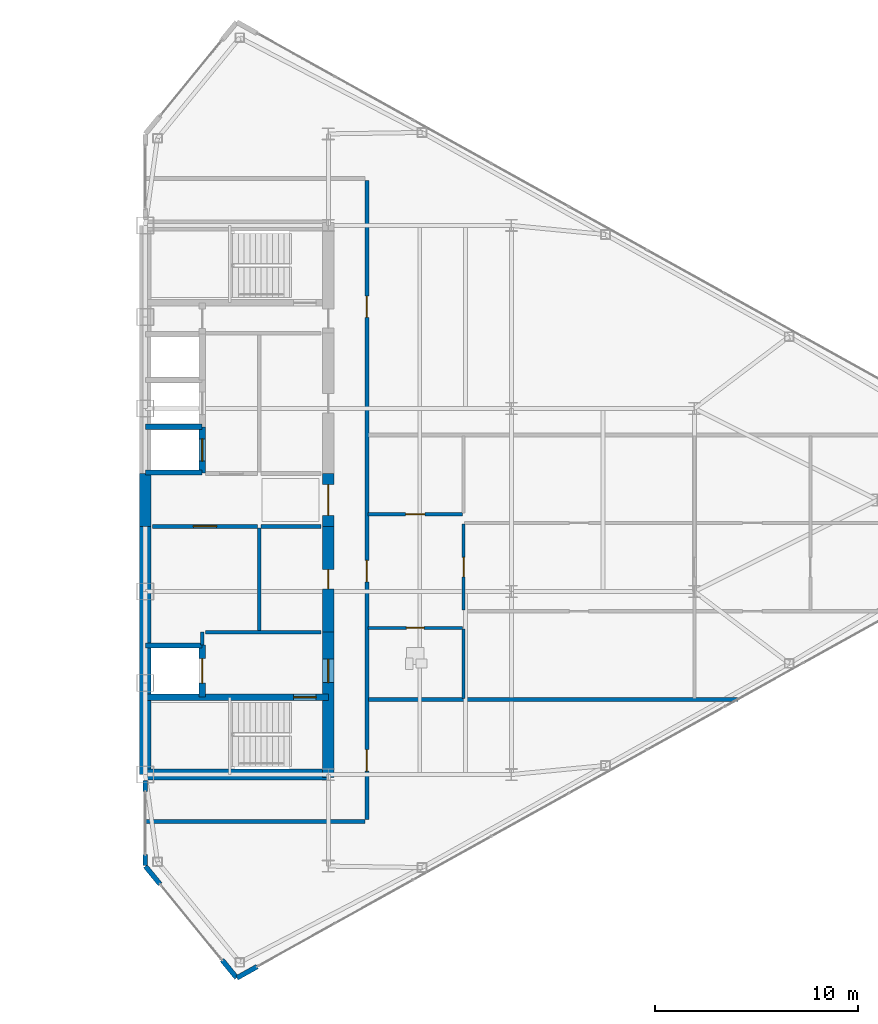
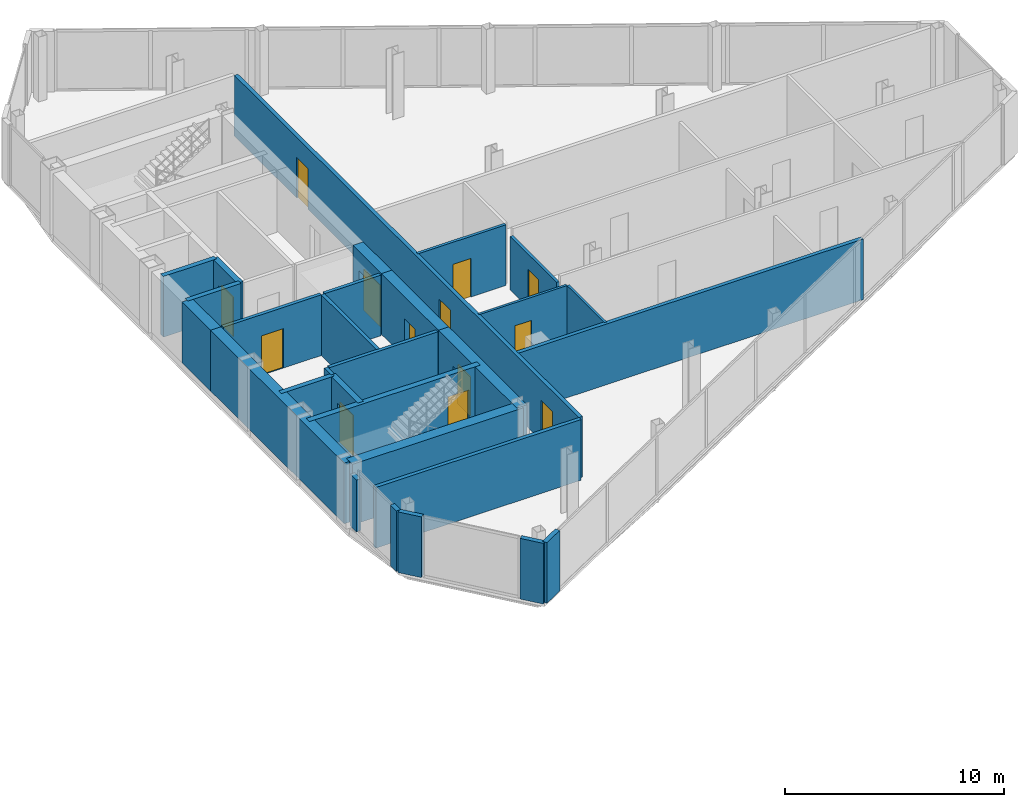
# One storey, part 21 of 25: 29 walls, 13 doors, 13 openings.
"""IFC4 building model written with IfcOpenShell, lengths in metres."""

from ifc_helpers import new_model, si_unit, direction, frame, frame_2d, origin, place, context, subcontext, project, spatial, rectangle, extrude, source, transform, mapped, material, layer, layer_set, type_object, type_shapes, element, fill, save


model = new_model("IFC4")

# Units and contexts
model_context = context("Model", 3, precision=1e-05, world=origin(), true_north=direction((0.0, 1.0)))
body_context = subcontext(model_context, "Body", "Model", "MODEL_VIEW")
ifc_project = project(units=[si_unit("LENGTHUNIT", "METRE"), si_unit("AREAUNIT", "SQUARE_METRE"), si_unit("VOLUMEUNIT", "CUBIC_METRE"), si_unit("PLANEANGLEUNIT", "RADIAN"), si_unit("MASSUNIT", "GRAM", prefix="KILO")], contexts=[model_context])

# Site, building, storey
site_placement = place(None, origin())
site = spatial("IfcSite", under=ifc_project, at=site_placement, CompositionType="ELEMENT")
building_placement = place(site_placement, origin())
building = spatial("IfcBuilding", under=site, at=building_placement, Name="Seokmaru Belvedere", CompositionType="ELEMENT")
storey_placement = place(building_placement, frame((0.0, 0.0, 185.10009765625)))
storey = spatial("IfcBuildingStorey", under=building, at=storey_placement, Name="L49", CompositionType="ELEMENT", Elevation=185.10009765625)

# Wall, opening, door
ifc_material_1 = material(Name="Fire-Rated Gypsum Shaftwall")
ifc_layer_1 = layer(ifc_material_1, 0.14990234375)
ifc_layer_set_1 = layer_set([ifc_layer_1], Name="Fire-Rated Gypsum Shaftwall")
wall_type_1 = type_object("IfcWallType", Name="Apartment Fire-Acoustic Room Partition 150", PredefinedType="PARTITIONING", material=ifc_layer_set_1)
wall_1_placement = place(storey_placement, frame((38.449951171875, -0.699951171875, 0.0), z_axis=(0.0, 0.0, 1.0), x_axis=(1.0, 0.0, 0.0)))
wall_1 = element("IfcWall", 1, at=wall_1_placement, inside=storey, type_object=wall_type_1, Name="L49 Interior Partition 010", PredefinedType="PARTITIONING", context=body_context, shape_type="SweptSolid", body=[
    extrude(rectangle(XDim=4.650146484375, YDim=0.14990234375, at=frame_2d((2.3251953125, 0.0))), origin(), (0.0, 0.0, 1.0), 3.3798828125),
])
opening_1_placement = place(wall_1_placement, frame((1.85009765625, 0.0, 0.0)))
opening_1 = element("IfcOpeningElement", 2, at=opening_1_placement, cuts=wall_1, Name="Opening D05", PredefinedType="OPENING", context=body_context, shape_type="SweptSolid", body=[
    extrude(rectangle(XDim=0.949951171875, YDim=2.14990234375, at=frame_2d((0.47509765625, 1.074951171875))), frame((0.0, 0.0849609375, 0.0), z_axis=(0.0, -1.0, 0.0), x_axis=(1.0, 0.0, 0.0)), (0.0, 0.0, 1.0), 0.169921875),
])
ifc_material_2 = material(Name="Engineered White Oak Timber", Category="wood")
door_type_1 = type_object("IfcDoorType", Name="Apartment Interior Fire-Rated Oak Door 950x2150", OperationType="NOTDEFINED", PredefinedType="DOOR", material=ifc_material_2)
shared_shape_1 = source(origin(), body_context, "Body", "SweptSolid", [
    extrude(rectangle(XDim=0.949951171875, YDim=2.14990234375, at=frame_2d((0.47509765625, 1.074951171875))), frame((0.0, 0.02490234375, 0.0), z_axis=(0.0, -1.0, 0.0), x_axis=(1.0, 0.0, 0.0)), (0.0, 0.0, 1.0), 0.050048828125),
])
type_shapes(door_type_1, [shared_shape_1])
door_1_placement = place(opening_1_placement, origin())
door_1 = element("IfcDoor", 3, at=door_1_placement, inside=storey, type_object=door_type_1, Name="L49 Interior Door 016", OperationType="SINGLE_SWING_RIGHT", OverallHeight=2.14990234375, OverallWidth=0.949951171875, PredefinedType="DOOR", context=body_context, shape_type="MappedRepresentation", body=[
    mapped(shared_shape_1, transform((0.0, 0.0, 0.0), scale=1.0)),
])
fill(opening_1, door_1)

wall_2_placement = place(storey_placement, frame((43.14990234375, -5.4169921875, 0.0), z_axis=(0.0, 0.0, 1.0), x_axis=(0.0, 1.0, 0.0)))
wall_2 = element("IfcWall", 4, at=wall_2_placement, inside=storey, type_object=wall_type_1, Name="L49 Interior Partition 024", PredefinedType="PARTITIONING", context=body_context, shape_type="SweptSolid", body=[
    extrude(rectangle(XDim=4.23388671875, YDim=0.14990234375, at=frame_2d((2.116943359375, 0.0))), origin(), (0.0, 0.0, 1.0), 2.989990234375),
])
opening_2_placement = place(wall_2_placement, frame((1.64208984375, 0.0, 0.0)))
opening_2 = element("IfcOpeningElement", 5, at=opening_2_placement, cuts=wall_2, Name="Opening D05", PredefinedType="OPENING", context=body_context, shape_type="SweptSolid", body=[
    extrude(rectangle(XDim=0.949951171875, YDim=2.14990234375, at=frame_2d((0.47509765625, 1.074951171875))), frame((0.0, 0.0849609375, 0.0), z_axis=(0.0, -1.0, 0.0), x_axis=(1.0, 0.0, 0.0)), (0.0, 0.0, 1.0), 0.169921875),
])
door_2_placement = place(opening_2_placement, origin())
door_2 = element("IfcDoor", 6, at=door_2_placement, inside=storey, type_object=door_type_1, Name="L49 Interior Door 017", OperationType="SINGLE_SWING_LEFT", OverallHeight=2.14990234375, OverallWidth=0.949951171875, PredefinedType="DOOR", context=body_context, shape_type="MappedRepresentation", body=[
    mapped(shared_shape_1, transform((0.0, 0.0, 0.0), scale=1.0)),
])
fill(opening_2, door_2)

# Walls
ifc_layer_2 = layer(ifc_material_1, 0.179931640625)
ifc_layer_set_2 = layer_set([ifc_layer_2], Name="Fire-Rated Gypsum Shaftwall")
wall_type_2 = type_object("IfcWallType", Name="Core Service Fire Partition 180", PredefinedType="PARTITIONING", material=ifc_layer_set_2)
wall_3_placement = place(storey_placement, frame((30.449951171875, -6.5, 0.0), z_axis=(0.0, 0.0, 1.0), x_axis=(1.0, 0.0, 0.0)))
element("IfcWall", 7, at=wall_3_placement, inside=storey, type_object=wall_type_2, Name="L49 East Firefighting Lobby Partition", PredefinedType="PARTITIONING", context=body_context, shape_type="SweptSolid", body=[
    extrude(rectangle(XDim=5.699951171875, YDim=0.179931640625, at=frame_2d((2.85009765625, 0.0))), origin(), (0.0, 0.0, 1.0), 3.3798828125),
])
wall_4_placement = place(storey_placement, frame((30.300048828125, -7.1201171875, 0.0), z_axis=(0.0, 0.0, 1.0), x_axis=(0.0, 1.0, 0.0)))
element("IfcWall", 8, at=wall_4_placement, inside=storey, type_object=wall_type_2, Name="L49 East Firefighting Lobby East Closure Wall", PredefinedType="PARTITIONING", context=body_context, shape_type="SweptSolid", body=[
    extrude(rectangle(XDim=0.6201171875, YDim=0.179931640625, at=frame_2d((0.31005859375, 0.0))), origin(), (0.0, 0.0, 1.0), 3.3798828125),
])
wall_5_placement = place(storey_placement, frame((33.10009765625, -6.419921875, 0.0), z_axis=(0.0, 0.0, 1.0), x_axis=(0.0, 1.0, 0.0)))
element("IfcWall", 9, at=wall_5_placement, inside=storey, type_object=wall_type_2, Name="L49 East South Core Service Back Wall", PredefinedType="PARTITIONING", context=body_context, shape_type="SweptSolid", body=[
    extrude(rectangle(XDim=5.0400390625, YDim=0.179931640625, at=frame_2d((2.52001953125, 0.0))), origin(), (0.0, 0.0, 1.0), 3.3798828125),
])

# Wall, opening, door
wall_6_placement = place(storey_placement, frame((27.85009765625, -1.300048828125, 0.0), z_axis=(0.0, 0.0, 1.0), x_axis=(1.0, 0.0, 0.0)))
wall_6 = element("IfcWall", 10, at=wall_6_placement, inside=storey, type_object=wall_type_2, Name="L49 East South Lift Lobby Foyer Wall", PredefinedType="PARTITIONING", context=body_context, shape_type="SweptSolid", body=[
    extrude(rectangle(XDim=5.169921875, YDim=0.179931640625, at=frame_2d((2.5849609375, 0.0))), origin(), (0.0, 0.0, 1.0), 3.3798828125),
])
opening_3_placement = place(wall_6_placement, frame((2.010009765625, 0.0, 0.0)))
opening_3 = element("IfcOpeningElement", 11, at=opening_3_placement, cuts=wall_6, Name="Opening D02", PredefinedType="OPENING", context=body_context, shape_type="SweptSolid", body=[
    extrude(rectangle(XDim=1.14990234375, YDim=2.199951171875, at=frame_2d((0.574951171875, 1.10009765625))), frame((0.0, 0.10009765625, 0.0), z_axis=(0.0, -1.0, 0.0), x_axis=(1.0, 0.0, 0.0)), (0.0, 0.0, 1.0), 0.199951171875),
])
ifc_material_3 = material(Name="Fire-Rated Steel Leaf", Category="steel")
door_type_2 = type_object("IfcDoorType", Name="Lobby and Vestibule Fire Door 1150x2200", OperationType="NOTDEFINED", PredefinedType="DOOR", material=ifc_material_3)
shared_shape_2 = source(origin(), body_context, "Body", "SweptSolid", [
    extrude(rectangle(XDim=1.14990234375, YDim=2.199951171875, at=frame_2d((0.574951171875, 1.10009765625))), frame((0.0, 0.02490234375, 0.0), z_axis=(0.0, -1.0, 0.0), x_axis=(1.0, 0.0, 0.0)), (0.0, 0.0, 1.0), 0.050048828125),
])
type_shapes(door_type_2, [shared_shape_2])
door_3_placement = place(opening_3_placement, origin())
door_3 = element("IfcDoor", 12, at=door_3_placement, inside=storey, type_object=door_type_2, Name="L49 East South Core Foyer Door", OperationType="SINGLE_SWING_RIGHT", OverallHeight=2.199951171875, OverallWidth=1.14990234375, PredefinedType="DOOR", context=body_context, shape_type="MappedRepresentation", body=[
    mapped(shared_shape_2, transform((0.0, 0.0, 0.0), scale=1.0)),
])
fill(opening_3, door_3)

# Walls
wall_7_placement = place(storey_placement, frame((33.199951171875, -1.300048828125, 0.0), z_axis=(0.0, 0.0, 1.0), x_axis=(1.0, 0.0, 0.0)))
element("IfcWall", 13, at=wall_7_placement, inside=storey, type_object=wall_type_2, Name="L49 East Foyer Side Wall S", PredefinedType="PARTITIONING", context=body_context, shape_type="SweptSolid", body=[
    extrude(rectangle(XDim=2.949951171875, YDim=0.179931640625, at=frame_2d((1.47509765625, 0.0))), origin(), (0.0, 0.0, 1.0), 3.3798828125),
])
ifc_material_4 = material(Name="Concrete C50 (50 MPa)", Category="concrete")
ifc_layer_3 = layer(ifc_material_4, 0.25)
ifc_layer_set_3 = layer_set([ifc_layer_3], Name="Concrete C50 (50 MPa)")
wall_type_3 = type_object("IfcWallType", Name="Hoistway Transverse Concrete Divider Wall 250", PredefinedType="SHEAR", material=ifc_layer_set_3)
for number, where, z_axis, x_axis, name in (
    (14, (27.5, -7.14990234375, 0.0), (0.0, 0.0, 1.0), (1.0, 0.0, 0.0), "L49 East Hoistway Divider Core Wall 1"),
    (15, (27.5, 1.35009765625, 0.0), (0.0, 0.0, 1.0), (1.0, 0.0, 0.0), "L49 East Hoistway Divider Core Wall 2"),
    (16, (27.5, 3.60009765625, 0.0), (0.0, 0.0, 1.0), (1.0, 0.0, 0.0), "L49 East Hoistway Divider Core Wall 3"),
):
    element("IfcWall", number, at=place(storey_placement, frame(where, z_axis=z_axis, x_axis=x_axis)), inside=storey, type_object=wall_type_3, Name=name, PredefinedType="SHEAR", context=body_context, shape_type="SweptSolid", body=[
        extrude(rectangle(XDim=2.800048828125, YDim=0.25, at=frame_2d((1.39990234375, 0.0))), origin(), (0.0, 0.0, 1.0), 3.3798828125),
    ])
ifc_layer_4 = layer(ifc_material_1, 0.199951171875)
ifc_layer_set_4 = layer_set([ifc_layer_4], Name="Fire-Rated Gypsum Shaftwall")
wall_type_4 = type_object("IfcWallType", Name="Inter-Tenancy Fire Compartment Partition 200", PredefinedType="PARTITIONING", material=ifc_layer_set_4)
wall_8_placement = place(storey_placement, frame((27.5, -15.800048828125, 0.0), z_axis=(0.0, 0.0, 1.0), x_axis=(1.0, 0.0, 0.0)))
element("IfcWall", 17, at=wall_8_placement, inside=storey, type_object=wall_type_4, Name="L49 Interior Partition 002", PredefinedType="PARTITIONING", context=body_context, shape_type="SweptSolid", body=[
    extrude(rectangle(XDim=10.81494140625, YDim=0.199951171875, at=frame_2d((5.407470703125, 0.0))), origin(), (0.0, 0.0, 1.0), 3.3798828125),
])
wall_9_placement = place(storey_placement, frame((38.47998046875, -9.800048828125, 0.0), z_axis=(0.0, 0.0, 1.0), x_axis=(1.0, 0.0, 0.0)))
element("IfcWall", 18, at=wall_9_placement, inside=storey, type_object=wall_type_4, Name="L49 Interior Partition 003", PredefinedType="PARTITIONING", context=body_context, shape_type="SweptSolid", body=[
    extrude(rectangle(XDim=18.1630859375, YDim=0.199951171875, at=frame_2d((9.08154296875, 0.0))), origin(), (0.0, 0.0, 1.0), 3.3798828125),
])

# Wall, openings, doors
wall_10_placement = place(storey_placement, frame((38.39990234375, -15.715087890625, 0.0), z_axis=(0.0, 0.0, 1.0), x_axis=(0.0, 1.0, 0.0)))
wall_10 = element("IfcWall", 19, at=wall_10_placement, inside=storey, type_object=wall_type_4, Name="L49 Interior Partition 022", PredefinedType="PARTITIONING", context=body_context, shape_type="SweptSolid", body=[
    extrude(rectangle(XDim=31.43017578125, YDim=0.199951171875, at=frame_2d((15.715087890625, 0.0))), origin(), (0.0, 0.0, 1.0), 3.3798828125),
])
opening_4_placement = place(wall_10_placement, frame((2.389892578125, 0.0, 0.0)))
opening_4 = element("IfcOpeningElement", 20, at=opening_4_placement, cuts=wall_10, Name="Opening D03", PredefinedType="OPENING", context=body_context, shape_type="SweptSolid", body=[
    extrude(rectangle(XDim=1.050048828125, YDim=2.25, at=frame_2d((0.52490234375, 1.125))), frame((0.0, 0.10986328125, 0.0), z_axis=(0.0, -1.0, 0.0), x_axis=(1.0, 0.0, 0.0)), (0.0, 0.0, 1.0), 0.219970703125),
])
opening_5_placement = place(wall_10_placement, frame((11.695068359375, 0.0, 0.0)))
opening_5 = element("IfcOpeningElement", 21, at=opening_5_placement, cuts=wall_10, Name="Opening D03", PredefinedType="OPENING", context=body_context, shape_type="SweptSolid", body=[
    extrude(rectangle(XDim=1.050048828125, YDim=2.25, at=frame_2d((0.52490234375, 1.125))), frame((0.0, 0.10986328125, 0.0), z_axis=(0.0, -1.0, 0.0), x_axis=(1.0, 0.0, 0.0)), (0.0, 0.0, 1.0), 0.219970703125),
])
opening_6_placement = place(wall_10_placement, frame((24.68994140625, 0.0, 0.0)))
opening_6 = element("IfcOpeningElement", 22, at=opening_6_placement, cuts=wall_10, Name="Opening D03", PredefinedType="OPENING", context=body_context, shape_type="SweptSolid", body=[
    extrude(rectangle(XDim=1.050048828125, YDim=2.25, at=frame_2d((0.52490234375, 1.125))), frame((0.0, 0.10986328125, 0.0), z_axis=(0.0, -1.0, 0.0), x_axis=(1.0, 0.0, 0.0)), (0.0, 0.0, 1.0), 0.219970703125),
])
door_type_3 = type_object("IfcDoorType", Name="Apartment Entrance Fire Door 1050x2250", OperationType="NOTDEFINED", PredefinedType="DOOR", material=ifc_material_3)
shared_shape_3 = source(origin(), body_context, "Body", "SweptSolid", [
    extrude(rectangle(XDim=1.050048828125, YDim=2.25, at=frame_2d((0.52490234375, 1.125))), frame((0.0, 0.02490234375, 0.0), z_axis=(0.0, -1.0, 0.0), x_axis=(1.0, 0.0, 0.0)), (0.0, 0.0, 1.0), 0.050048828125),
])
type_shapes(door_type_3, [shared_shape_3])
door_4_placement = place(opening_4_placement, origin())
door_4 = element("IfcDoor", 23, at=door_4_placement, inside=storey, type_object=door_type_3, Name="L49 Interior Door 013", OperationType="SINGLE_SWING_LEFT", OverallHeight=2.25, OverallWidth=1.050048828125, PredefinedType="DOOR", context=body_context, shape_type="MappedRepresentation", body=[
    mapped(shared_shape_3, transform((0.0, 0.0, 0.0), scale=1.0)),
])
fill(opening_4, door_4)
door_5_placement = place(opening_5_placement, origin())
door_5 = element("IfcDoor", 24, at=door_5_placement, inside=storey, type_object=door_type_3, Name="L49 Interior Door 014", OperationType="SINGLE_SWING_RIGHT", OverallHeight=2.25, OverallWidth=1.050048828125, PredefinedType="DOOR", context=body_context, shape_type="MappedRepresentation", body=[
    mapped(shared_shape_3, transform((0.0, 0.0, 0.0), scale=1.0)),
])
fill(opening_5, door_5)
door_6_placement = place(opening_6_placement, origin())
door_6 = element("IfcDoor", 25, at=door_6_placement, inside=storey, type_object=door_type_3, Name="L49 Interior Door 025", OperationType="SINGLE_SWING_LEFT", OverallHeight=2.25, OverallWidth=1.050048828125, PredefinedType="DOOR", context=body_context, shape_type="MappedRepresentation", body=[
    mapped(shared_shape_3, transform((0.0, 0.0, 0.0), scale=1.0)),
])
fill(opening_6, door_6)

# Wall, opening, door
ifc_layer_5 = layer(ifc_material_4, 0.300048828125)
ifc_layer_set_5 = layer_set([ifc_layer_5], Name="Concrete C50 (50 MPa)")
wall_type_5 = type_object("IfcWallType", Name="Internal Core Stair and Hoistway Wall 300", PredefinedType="SHEAR", material=ifc_layer_set_5)
wall_11_placement = place(storey_placement, frame((27.5, -9.699951171875, 0.0), z_axis=(0.0, 0.0, 1.0), x_axis=(1.0, 0.0, 0.0)))
wall_11 = element("IfcWall", 26, at=wall_11_placement, inside=storey, type_object=wall_type_5, Name="L49 East Stair ST-1 Enclosure Wall", PredefinedType="SHEAR", context=body_context, shape_type="SweptSolid", body=[
    extrude(rectangle(XDim=9.0, YDim=0.300048828125, at=frame_2d((4.5, 0.0))), origin(), (0.0, 0.0, 1.0), 3.3798828125),
])
opening_7_placement = place(wall_11_placement, frame((7.300048828125, 0.0, 0.0)))
opening_7 = element("IfcOpeningElement", 27, at=opening_7_placement, cuts=wall_11, Name="Opening D01", PredefinedType="OPENING", context=body_context, shape_type="SweptSolid", body=[
    extrude(rectangle(XDim=1.10009765625, YDim=2.199951171875, at=frame_2d((0.550048828125, 1.10009765625))), frame((0.0, 0.16015625, 0.0), z_axis=(0.0, -1.0, 0.0), x_axis=(1.0, 0.0, 0.0)), (0.0, 0.0, 1.0), 0.320068359375),
])
door_type_4 = type_object("IfcDoorType", Name="Special Escape Stair Smokeproof Fire Door 1100x2200", OperationType="NOTDEFINED", PredefinedType="DOOR", material=ifc_material_3)
shared_shape_4 = source(origin(), body_context, "Body", "SweptSolid", [
    extrude(rectangle(XDim=1.10009765625, YDim=2.199951171875, at=frame_2d((0.550048828125, 1.10009765625))), frame((0.0, 0.02490234375, 0.0), z_axis=(0.0, -1.0, 0.0), x_axis=(1.0, 0.0, 0.0)), (0.0, 0.0, 1.0), 0.050048828125),
])
type_shapes(door_type_4, [shared_shape_4])
door_7_placement = place(opening_7_placement, frame((1.10009765625, 0.0, 0.0), z_axis=(0.0, 0.0, 1.0), x_axis=(-1.0, 0.0, 0.0)))
door_7 = element("IfcDoor", 28, at=door_7_placement, inside=storey, type_object=door_type_4, Name="L49 East Special Escape Stair ST-1 Door", OperationType="SINGLE_SWING_RIGHT", OverallHeight=2.199951171875, OverallWidth=1.10009765625, PredefinedType="DOOR", context=body_context, shape_type="MappedRepresentation", body=[
    mapped(shared_shape_4, transform((0.0, 0.0, 0.0), scale=1.0)),
])
fill(opening_7, door_7)

wall_12_placement = place(storey_placement, frame((30.300048828125, -9.679931640625, 0.0), z_axis=(0.0, 0.0, 1.0), x_axis=(0.0, 1.0, 0.0)))
wall_12 = element("IfcWall", 29, at=wall_12_placement, inside=storey, type_object=wall_type_5, Name="L49 East Firefighting Lift Shaft Front Wall", PredefinedType="SHEAR", context=body_context, shape_type="SweptSolid", body=[
    extrude(rectangle(XDim=2.559814453125, YDim=0.300048828125, at=frame_2d((1.27978515625, 0.0))), origin(), (0.0, 0.0, 1.0), 3.3798828125),
])
opening_8_placement = place(wall_12_placement, frame((0.679931640625, 0.0, 0.0)))
opening_8 = element("IfcOpeningElement", 30, at=opening_8_placement, cuts=wall_12, Name="Opening LD2", PredefinedType="OPENING", context=body_context, shape_type="SweptSolid", body=[
    extrude(rectangle(XDim=1.199951171875, YDim=2.25, at=frame_2d((0.60009765625, 1.125))), frame((0.0, 0.16015625, 0.0), z_axis=(0.0, -1.0, 0.0), x_axis=(1.0, 0.0, 0.0)), (0.0, 0.0, 1.0), 0.320068359375),
])
ifc_material_5 = material(Name="Stainless Steel 316", Category="steel")
door_type_5 = type_object("IfcDoorType", Name="Firefighting Lift Sliding Landing Door 1200x2250", OperationType="DOUBLE_DOOR_SLIDING", PredefinedType="DOOR", material=ifc_material_5)
shared_shape_5 = source(origin(), body_context, "Body", "SweptSolid", [
    extrude(rectangle(XDim=1.199951171875, YDim=2.25, at=frame_2d((0.60009765625, 1.125))), frame((0.0, 0.02490234375, 0.0), z_axis=(0.0, -1.0, 0.0), x_axis=(1.0, 0.0, 0.0)), (0.0, 0.0, 1.0), 0.050048828125),
])
type_shapes(door_type_5, [shared_shape_5])
door_8_placement = place(opening_8_placement, origin())
door_8 = element("IfcDoor", 31, at=door_8_placement, inside=storey, type_object=door_type_5, Name="L49 East Firefighting Lift Landing Door", OperationType="DOUBLE_DOOR_SLIDING", OverallHeight=2.25, OverallWidth=1.199951171875, PredefinedType="DOOR", context=body_context, shape_type="MappedRepresentation", body=[
    mapped(shared_shape_5, transform((0.0, 0.0, 0.0), scale=1.0)),
])
fill(opening_8, door_8)

wall_13_placement = place(storey_placement, frame((30.300048828125, 1.320068359375, 0.0), z_axis=(0.0, 0.0, 1.0), x_axis=(0.0, 1.0, 0.0)))
wall_13 = element("IfcWall", 32, at=wall_13_placement, inside=storey, type_object=wall_type_5, Name="L49 East North Hoistway Wall PH1", PredefinedType="SHEAR", context=body_context, shape_type="SweptSolid", body=[
    extrude(rectangle(XDim=2.280029296875, YDim=0.300048828125, at=frame_2d((1.14013671875, 0.0))), origin(), (0.0, 0.0, 1.0), 3.3798828125),
])
opening_9_placement = place(wall_13_placement, frame((0.590087890625, 0.0, 0.0)))
opening_9 = element("IfcOpeningElement", 33, at=opening_9_placement, cuts=wall_13, Name="Opening LD1", PredefinedType="OPENING", context=body_context, shape_type="SweptSolid", body=[
    extrude(rectangle(XDim=1.10009765625, YDim=2.199951171875, at=frame_2d((0.550048828125, 1.10009765625))), frame((0.0, 0.16015625, 0.0), z_axis=(0.0, -1.0, 0.0), x_axis=(1.0, 0.0, 0.0)), (0.0, 0.0, 1.0), 0.320068359375),
])
door_type_6 = type_object("IfcDoorType", Name="Passenger Lift Sliding Landing Door 1100x2200", OperationType="DOUBLE_DOOR_SLIDING", PredefinedType="DOOR", material=ifc_material_5)
shared_shape_6 = source(origin(), body_context, "Body", "SweptSolid", [
    extrude(rectangle(XDim=1.10009765625, YDim=2.199951171875, at=frame_2d((0.550048828125, 1.10009765625))), frame((0.0, 0.02490234375, 0.0), z_axis=(0.0, -1.0, 0.0), x_axis=(1.0, 0.0, 0.0)), (0.0, 0.0, 1.0), 0.050048828125),
])
type_shapes(door_type_6, [shared_shape_6])
door_9_placement = place(opening_9_placement, origin())
door_9 = element("IfcDoor", 34, at=door_9_placement, inside=storey, type_object=door_type_6, Name="L49 East High-Rise Lift PH-1 Landing Door", OperationType="DOUBLE_DOOR_SLIDING", OverallHeight=2.199951171875, OverallWidth=1.10009765625, PredefinedType="DOOR", context=body_context, shape_type="MappedRepresentation", body=[
    mapped(shared_shape_6, transform((0.0, 0.0, 0.0), scale=1.0)),
])
fill(opening_9, door_9)

# Walls
ifc_layer_6 = layer(ifc_material_4, 0.550048828125)
ifc_layer_set_6 = layer_set([ifc_layer_6], Name="Concrete C50 (50 MPa)")
wall_type_6 = type_object("IfcWallType", Name="Mid-High Reinforced Concrete Core Wall 550", PredefinedType="SHEAR", material=ifc_layer_set_6)
wall_14_placement = place(storey_placement, frame((27.5, -13.5, 0.0), z_axis=(0.0, 0.0, 1.0), x_axis=(0.0, 1.0, 0.0)))
element("IfcWall", 35, at=wall_14_placement, inside=storey, type_object=wall_type_6, Name="L49 East Portal Spine Core Wall South", PredefinedType="SHEAR", context=body_context, shape_type="SweptSolid", body=[
    extrude(rectangle(XDim=12.199951171875, YDim=0.550048828125, at=frame_2d((6.10009765625, 0.0))), origin(), (0.0, 0.0, 1.0), 3.3798828125),
])
wall_15_placement = place(storey_placement, frame((27.5, -1.300048828125, 0.0), z_axis=(0.0, 0.0, 1.0), x_axis=(0.0, 1.0, 0.0)))
element("IfcWall", 36, at=wall_15_placement, inside=storey, type_object=wall_type_6, Name="L49 East Portal Spine Core Wall Center", PredefinedType="SHEAR", context=body_context, shape_type="SweptSolid", body=[
    extrude(rectangle(XDim=2.60009765625, YDim=0.550048828125, at=frame_2d((1.300048828125, 0.0))), origin(), (0.0, 0.0, 1.0), 3.3798828125),
])
wall_16_placement = place(storey_placement, frame((27.5, -13.5, 0.0), z_axis=(0.0, 0.0, 1.0), x_axis=(1.0, 0.0, 0.0)))
element("IfcWall", 37, at=wall_16_placement, inside=storey, type_object=wall_type_6, Name="L49 East South Core Wall", PredefinedType="SHEAR", context=body_context, shape_type="SweptSolid", body=[
    extrude(rectangle(XDim=9.0, YDim=0.550048828125, at=frame_2d((4.5, 0.0))), origin(), (0.0, 0.0, 1.0), 3.3798828125),
])

# Wall, opening, door
wall_17_placement = place(storey_placement, frame((36.5, -13.64990234375, 0.0), z_axis=(0.0, 0.0, 1.0), x_axis=(0.0, 1.0, 0.0)))
wall_17 = element("IfcWall", 38, at=wall_17_placement, inside=storey, type_object=wall_type_6, Name="L49 East West Core Wall FF", PredefinedType="SHEAR", context=body_context, shape_type="SweptSolid", body=[
    extrude(rectangle(XDim=7.14990234375, YDim=0.550048828125, at=frame_2d((3.574951171875, 0.0))), origin(), (0.0, 0.0, 1.0), 3.3798828125),
])
opening_10_placement = place(wall_17_placement, frame((4.675048828125, 0.0, 0.0)))
opening_10 = element("IfcOpeningElement", 39, at=opening_10_placement, cuts=wall_17, Name="Opening D02", PredefinedType="OPENING", context=body_context, shape_type="SweptSolid", body=[
    extrude(rectangle(XDim=1.14990234375, YDim=2.199951171875, at=frame_2d((0.574951171875, 1.10009765625))), frame((0.0, 0.28515625, 0.0), z_axis=(0.0, -1.0, 0.0), x_axis=(1.0, 0.0, 0.0)), (0.0, 0.0, 1.0), 0.570068359375),
])
door_10_placement = place(opening_10_placement, origin())
door_10 = element("IfcDoor", 40, at=door_10_placement, inside=storey, type_object=door_type_2, Name="L49 East Firefighting Lobby Door", OperationType="SINGLE_SWING_RIGHT", OverallHeight=2.199951171875, OverallWidth=1.14990234375, PredefinedType="DOOR", context=body_context, shape_type="MappedRepresentation", body=[
    mapped(shared_shape_2, transform((0.0, 0.0, 0.0), scale=1.0)),
])
fill(opening_10, door_10)

wall_18_placement = place(storey_placement, frame((36.5, -1.300048828125, 0.0), z_axis=(0.0, 0.0, 1.0), x_axis=(0.0, 1.0, 0.0)))
wall_18 = element("IfcWall", 41, at=wall_18_placement, inside=storey, type_object=wall_type_6, Name="L49 East West Core Wall FOY", PredefinedType="SHEAR", context=body_context, shape_type="SweptSolid", body=[
    extrude(rectangle(XDim=2.60009765625, YDim=0.550048828125, at=frame_2d((1.300048828125, 0.0))), origin(), (0.0, 0.0, 1.0), 3.3798828125),
])
opening_11_placement = place(wall_18_placement, frame((0.550048828125, 0.0, 0.0)))
opening_11 = element("IfcOpeningElement", 42, at=opening_11_placement, cuts=wall_18, Name="Opening D08", PredefinedType="OPENING", context=body_context, shape_type="SweptSolid", body=[
    extrude(rectangle(XDim=1.5, YDim=2.300048828125, at=frame_2d((0.75, 1.14990234375))), frame((0.0, 0.28515625, 0.0), z_axis=(0.0, -1.0, 0.0), x_axis=(1.0, 0.0, 0.0)), (0.0, 0.0, 1.0), 0.570068359375),
])
door_type_7 = type_object("IfcDoorType", Name="Cross-Corridor Compartment Double Fire Door 1500x2300", OperationType="DOUBLE_SWING_LEFT", PredefinedType="DOOR", material=ifc_material_3)
shared_shape_7 = source(origin(), body_context, "Body", "SweptSolid", [
    extrude(rectangle(XDim=1.5, YDim=2.300048828125, at=frame_2d((0.75, 1.14990234375))), frame((0.0, 0.02490234375, 0.0), z_axis=(0.0, -1.0, 0.0), x_axis=(1.0, 0.0, 0.0)), (0.0, 0.0, 1.0), 0.050048828125),
])
type_shapes(door_type_7, [shared_shape_7])
door_11_placement = place(opening_11_placement, origin())
door_11 = element("IfcDoor", 43, at=door_11_placement, inside=storey, type_object=door_type_7, Name="L49 East Core Foyer Compartment Door", OperationType="DOUBLE_SWING_LEFT", OverallHeight=2.300048828125, OverallWidth=1.5, PredefinedType="DOOR", context=body_context, shape_type="MappedRepresentation", body=[
    mapped(shared_shape_7, transform((0.0, 0.0, 0.0), scale=1.0)),
])
fill(opening_11, door_11)

wall_19_placement = place(storey_placement, frame((36.5, -6.5, 0.0), z_axis=(0.0, 0.0, 1.0), x_axis=(0.0, 1.0, 0.0)))
wall_19 = element("IfcWall", 44, at=wall_19_placement, inside=storey, type_object=wall_type_6, Name="L49 East West Core Wall CS1", PredefinedType="SHEAR", context=body_context, shape_type="SweptSolid", body=[
    extrude(rectangle(XDim=5.199951171875, YDim=0.550048828125, at=frame_2d((2.60009765625, 0.0))), origin(), (0.0, 0.0, 1.0), 3.3798828125),
])
opening_12_placement = place(wall_19_placement, frame((2.125, 0.0, 0.0)))
opening_12 = element("IfcOpeningElement", 45, at=opening_12_placement, cuts=wall_19, Name="Opening D04", PredefinedType="OPENING", context=body_context, shape_type="SweptSolid", body=[
    extrude(rectangle(XDim=0.949951171875, YDim=2.14990234375, at=frame_2d((0.47509765625, 1.074951171875))), frame((0.0, 0.28515625, 0.0), z_axis=(0.0, -1.0, 0.0), x_axis=(1.0, 0.0, 0.0)), (0.0, 0.0, 1.0), 0.570068359375),
])
door_type_8 = type_object("IfcDoorType", Name="Core Service Room Fire Door 950x2150", OperationType="NOTDEFINED", PredefinedType="DOOR", material=ifc_material_3)
shared_shape_8 = source(origin(), body_context, "Body", "SweptSolid", [
    extrude(rectangle(XDim=0.949951171875, YDim=2.14990234375, at=frame_2d((0.47509765625, 1.074951171875))), frame((0.0, 0.02490234375, 0.0), z_axis=(0.0, -1.0, 0.0), x_axis=(1.0, 0.0, 0.0)), (0.0, 0.0, 1.0), 0.050048828125),
])
type_shapes(door_type_8, [shared_shape_8])
door_12_placement = place(opening_12_placement, origin())
door_12 = element("IfcDoor", 46, at=door_12_placement, inside=storey, type_object=door_type_8, Name="L49 East Core Service Room Door 1", OperationType="SINGLE_SWING_RIGHT", OverallHeight=2.14990234375, OverallWidth=0.949951171875, PredefinedType="DOOR", context=body_context, shape_type="MappedRepresentation", body=[
    mapped(shared_shape_8, transform((0.0, 0.0, 0.0), scale=1.0)),
])
fill(opening_12, door_12)

ifc_layer_7 = layer(ifc_material_1, 0.1298828125)
ifc_layer_set_7 = layer_set([ifc_layer_7], Name="Fire-Rated Gypsum Shaftwall")
wall_type_7 = type_object("IfcWallType", Name="Moisture-Resistant Fire-Rated Bathroom Partition 130", PredefinedType="PARTITIONING", material=ifc_layer_set_7)
wall_20_placement = place(storey_placement, frame((38.449951171875, -6.2900390625, 0.0), z_axis=(0.0, 0.0, 1.0), x_axis=(1.0, 0.0, 0.0)))
wall_20 = element("IfcWall", 47, at=wall_20_placement, inside=storey, type_object=wall_type_7, Name="L49 Interior Partition 005", PredefinedType="PARTITIONING", context=body_context, shape_type="SweptSolid", body=[
    extrude(rectangle(XDim=4.650146484375, YDim=0.1298828125, at=frame_2d((2.3251953125, 0.0))), origin(), (0.0, 0.0, 1.0), 3.3798828125),
])
opening_13_placement = place(wall_20_placement, frame((1.885009765625, 0.0, 0.0)))
opening_13 = element("IfcOpeningElement", 48, at=opening_13_placement, cuts=wall_20, Name="Opening D06", PredefinedType="OPENING", context=body_context, shape_type="SweptSolid", body=[
    extrude(rectangle(XDim=0.8798828125, YDim=2.10009765625, at=frame_2d((0.43994140625, 1.050048828125))), frame((0.0, 0.074951171875, 0.0), z_axis=(0.0, -1.0, 0.0), x_axis=(1.0, 0.0, 0.0)), (0.0, 0.0, 1.0), 0.14990234375),
])
door_type_9 = type_object("IfcDoorType", Name="Bathroom and Restroom Fire-Rated Door 880x2100", OperationType="NOTDEFINED", PredefinedType="DOOR", material=ifc_material_2)
shared_shape_9 = source(origin(), body_context, "Body", "SweptSolid", [
    extrude(rectangle(XDim=0.8798828125, YDim=2.10009765625, at=frame_2d((0.43994140625, 1.050048828125))), frame((0.0, 0.02490234375, 0.0), z_axis=(0.0, -1.0, 0.0), x_axis=(1.0, 0.0, 0.0)), (0.0, 0.0, 1.0), 0.050048828125),
])
type_shapes(door_type_9, [shared_shape_9])
door_13_placement = place(opening_13_placement, origin())
door_13 = element("IfcDoor", 49, at=door_13_placement, inside=storey, type_object=door_type_9, Name="L49 Interior Door 015", OperationType="SINGLE_SWING_RIGHT", OverallHeight=2.10009765625, OverallWidth=0.8798828125, PredefinedType="DOOR", context=body_context, shape_type="MappedRepresentation", body=[
    mapped(shared_shape_9, transform((0.0, 0.0, 0.0), scale=1.0)),
])
fill(opening_13, door_13)

# Walls
wall_21_placement = place(storey_placement, frame((43.14990234375, -9.75, 0.0), z_axis=(0.0, 0.0, 1.0), x_axis=(0.0, 1.0, 0.0)))
element("IfcWall", 50, at=wall_21_placement, inside=storey, type_object=wall_type_7, Name="L49 Interior Partition 023", PredefinedType="PARTITIONING", context=body_context, shape_type="SweptSolid", body=[
    extrude(rectangle(XDim=3.407958984375, YDim=0.1298828125, at=frame_2d((1.7041015625, 0.0))), origin(), (0.0, 0.0, 1.0), 3.3798828125),
])
ifc_material_6 = material(Name="Anodised Bronze Aluminium", Category="aluminium")
ifc_layer_8 = layer(ifc_material_6, 0.239990234375)
ifc_layer_set_8 = layer_set([ifc_layer_8], Name="Anodised Bronze Aluminium")
wall_type_8 = type_object("IfcWallType", Name="Tower Corner Spandrel Closure Wall 240", PredefinedType="SOLIDWALL", material=ifc_layer_set_8)
wall_22_placement = place(storey_placement, frame((32.0087890625, -23.4951171875, 0.0), z_axis=(0.0, 0.0, 1.0), x_axis=(0.87385402111, 0.486188389196, 0.0)))
element("IfcWall", 51, at=wall_22_placement, inside=storey, type_object=wall_type_8, Name="L49 E Corner Closure Pier 1A", PredefinedType="SOLIDWALL", context=body_context, shape_type="SweptSolid", body=[
    extrude(rectangle(XDim=1.139892578125, YDim=0.239990234375, at=frame_2d((0.56982421875, 0.0))), origin(), (0.0, 0.0, 1.0), 3.3798828125),
])
wall_23_placement = place(storey_placement, frame((27.5, -17.97998046875, 0.0), z_axis=(0.0, 0.0, 1.0), x_axis=(0.0, 1.0, 0.0)))
element("IfcWall", 52, at=wall_23_placement, inside=storey, type_object=wall_type_8, Name="L49 E Spine Closure Pier 1A", PredefinedType="SOLIDWALL", context=body_context, shape_type="SweptSolid", body=[
    extrude(rectangle(XDim=0.550048828125, YDim=0.239990234375, at=frame_2d((0.27490234375, 0.0))), origin(), (0.0, 0.0, 1.0), 3.3798828125),
])
wall_24_placement = place(storey_placement, frame((27.5, -14.330078125, 0.0), z_axis=(0.0, 0.0, 1.0), x_axis=(0.0, 1.0, 0.0)))
element("IfcWall", 53, at=wall_24_placement, inside=storey, type_object=wall_type_8, Name="L49 E Spine Closure Pier 1B", PredefinedType="SOLIDWALL", context=body_context, shape_type="SweptSolid", body=[
    extrude(rectangle(XDim=0.550048828125, YDim=0.239990234375, at=frame_2d((0.27490234375, 0.0))), origin(), (0.0, 0.0, 1.0), 2.8798828125),
])
for number, where, z_axis, x_axis, name in (
    (54, (27.50634765625, -18.0078125, 0.0), (0.0, 0.0, 1.0), (0.633249451965, -0.77394775766, 0.0), "L49 E Corner Closure Pier 6A"),
    (55, (31.271728515625, -22.60986328125, 0.0), (0.0, 0.0, 1.0), (0.633249451965, -0.77394775766, 0.0), "L49 E Corner Closure Pier 6B"),
):
    element("IfcWall", number, at=place(storey_placement, frame(where, z_axis=z_axis, x_axis=x_axis)), inside=storey, type_object=wall_type_8, Name=name, PredefinedType="SOLIDWALL", context=body_context, shape_type="SweptSolid", body=[
        extrude(rectangle(XDim=1.14013671875, YDim=0.239990234375, at=frame_2d((0.570068359375, 0.0))), origin(), (0.0, 0.0, 1.0), 3.3798828125),
    ])

save(model, "model.ifc")
